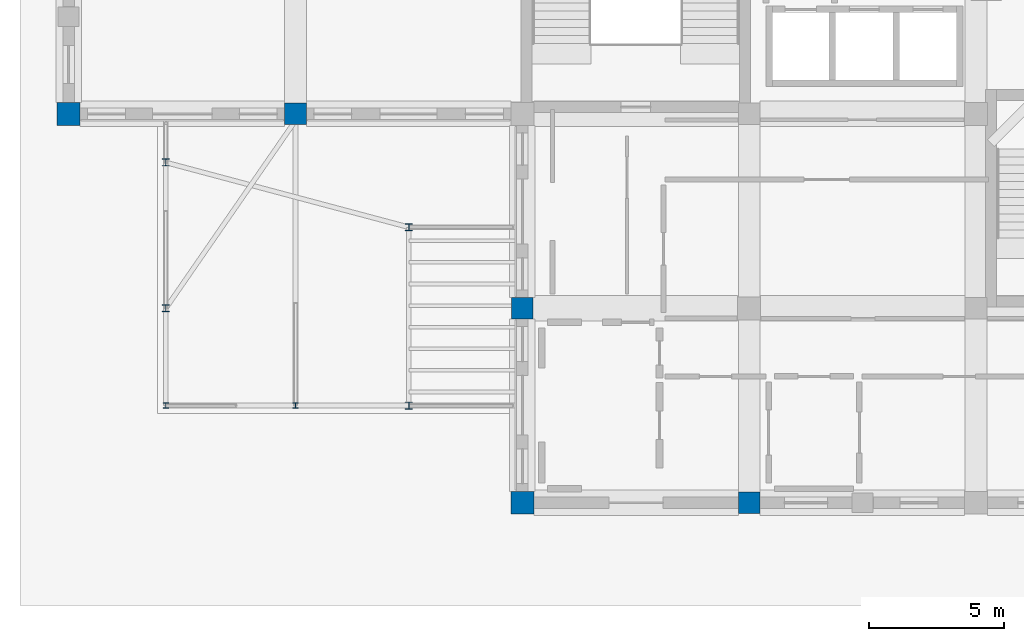
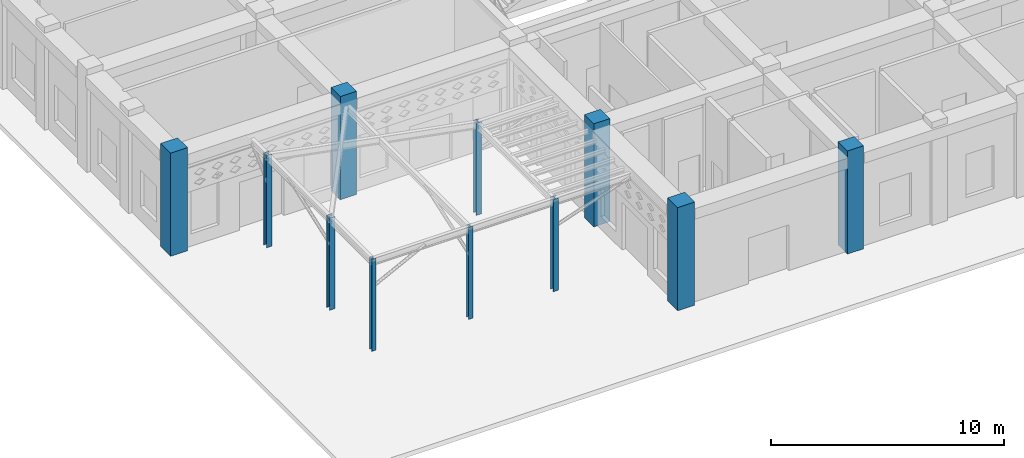
# One storey, part 1 of 84: 11 columns.
"""IFC4 building model written with IfcOpenShell, lengths in metres."""

from ifc_helpers import new_model, si_unit, derived_unit, direction, frame, origin, origin_2d, place, context, subcontext, project, spatial, rectangle, i_section, extrude, material, material_profile, profile_set, type_object, element, save


model = new_model("IFC4")

# Units and contexts
model_context = context("Model", 3, precision=1e-05, world=origin(), true_north=direction((0.0, 1.0)))
body_context = subcontext(model_context, "Body", "Model", "MODEL_VIEW")
ifc_project = project(units=[si_unit("LENGTHUNIT", "METRE"), si_unit("AREAUNIT", "SQUARE_METRE"), si_unit("VOLUMEUNIT", "CUBIC_METRE"), si_unit("PLANEANGLEUNIT", "RADIAN"), si_unit("MASSUNIT", "GRAM", prefix="KILO"), derived_unit("THERMALTRANSMITTANCEUNIT", [(si_unit("POWERUNIT", "WATT"), 1), (si_unit("LENGTHUNIT", "METRE"), -2), (si_unit("THERMODYNAMICTEMPERATUREUNIT", "KELVIN"), -1)])], contexts=[model_context])

# Site, building, storey
site_placement = place(None, origin())
site = spatial("IfcSite", under=ifc_project, at=site_placement, CompositionType="ELEMENT")
building_placement = place(site_placement, origin())
building = spatial("IfcBuilding", under=site, at=building_placement, Name="Veybourne Emporium", CompositionType="ELEMENT")
storey_placement = place(building_placement, origin())
storey = spatial("IfcBuildingStorey", under=building, at=storey_placement, Name="L00", CompositionType="ELEMENT", Elevation=0.0)

# Columns
ifc_material_1 = material(Name="Concrete C40/50", Category="concrete")
ifc_material_profile_1 = material_profile(ifc_material_1, rectangle(XDim=0.800048828125, YDim=0.800048828125, at=origin_2d()), Name="RC 800x800")
ifc_profile_set_1 = profile_set([ifc_material_profile_1], Name="Concrete C40/50")
column_type_1 = type_object("IfcColumnType", Name="Col_C-02", PredefinedType="COLUMN", material=ifc_profile_set_1)
for number, where, z_axis, x_axis, name in (
    (1, (8.39990234375, 14.39990234375, 0.0), (0.0, 0.0, 1.0), (1.0, 0.0, 0.0), "Column C-02 L00 (1,2)"),
    (2, (16.800048828125, 7.199951171875, 0.0), (0.0, 0.0, 1.0), (1.0, 0.0, 0.0), "Column C-02 L00 (2,1)"),
):
    element("IfcColumn", number, at=place(storey_placement, frame(where, z_axis=z_axis, x_axis=x_axis)), inside=storey, type_object=column_type_1, Name=name, PredefinedType="COLUMN", context=body_context, shape_type="SweptSolid", body=[
        extrude(rectangle(XDim=0.800048828125, YDim=0.800048828125, at=origin_2d()), origin(), (0.0, 0.0, 1.0), 5.39990234375),
    ])
ifc_material_profile_2 = material_profile(ifc_material_1, rectangle(XDim=0.85009765625, YDim=0.85009765625, at=origin_2d()), Name="RC 850x850")
ifc_profile_set_2 = profile_set([ifc_material_profile_2], Name="Concrete C40/50")
column_type_2 = type_object("IfcColumnType", Name="Col_CE-01", PredefinedType="COLUMN", material=ifc_profile_set_2)
for number, where, z_axis, x_axis, name in (
    (3, (0.0, 14.39990234375, 0.0), (0.0, 0.0, 1.0), (1.0, 0.0, 0.0), "Column CE-01 L00 (0,2)"),
    (4, (16.800048828125, 0.0, 0.0), (0.0, 0.0, 1.0), (1.0, 0.0, 0.0), "Column CE-01 L00 (2,0)"),
):
    element("IfcColumn", number, at=place(storey_placement, frame(where, z_axis=z_axis, x_axis=x_axis)), inside=storey, type_object=column_type_2, Name=name, PredefinedType="COLUMN", context=body_context, shape_type="SweptSolid", body=[
        extrude(rectangle(XDim=0.85009765625, YDim=0.85009765625, at=origin_2d()), origin(), (0.0, 0.0, 1.0), 5.39990234375),
    ])
ifc_material_profile_3 = material_profile(ifc_material_1, rectangle(XDim=0.800048828125, YDim=0.800048828125, at=origin_2d()), Name="RC 800x800")
ifc_profile_set_3 = profile_set([ifc_material_profile_3], Name="Concrete C40/50")
column_type_3 = type_object("IfcColumnType", Name="Col_CE-02", PredefinedType="COLUMN", material=ifc_profile_set_3)
column_placement = place(storey_placement, frame((25.199951171875, 0.0, 0.0), z_axis=(0.0, 0.0, 1.0), x_axis=(1.0, 0.0, 0.0)))
element("IfcColumn", 5, at=column_placement, inside=storey, type_object=column_type_3, Name="Column CE-02 L00 (3,0)", PredefinedType="COLUMN", context=body_context, shape_type="SweptSolid", body=[
    extrude(rectangle(XDim=0.800048828125, YDim=0.800048828125, at=origin_2d()), origin(), (0.0, 0.0, 1.0), 5.39990234375),
])
ifc_material_2 = material(Name="Steel S355", Category="steel")
ifc_material_profile_4 = material_profile(ifc_material_2, i_section(OverallWidth=0.25634765625, OverallDepth=0.26025390625, WebThickness=0.01025390625, FlangeThickness=0.017333984375, FilletRadius=0.0126953125, at=origin_2d()), Name="UKC 254x254x89")
ifc_profile_set_4 = profile_set([ifc_material_profile_4], Name="Steel S355")
column_type_4 = type_object("IfcColumnType", Name="SteelCol_SC-03", PredefinedType="COLUMN", material=ifc_profile_set_4)
for number, where, z_axis, x_axis, name in (
    (6, (12.60009765625, 3.60009765625, 0.0), (0.0, 0.0, 1.0), (1.0, 0.0, 0.0), "Steel canopy column SC-03-01"),
    (7, (12.60009765625, 10.199951171875, 0.0), (0.0, 0.0, 1.0), (1.0, 0.0, 0.0), "Steel canopy column SC-03-02"),
    (8, (3.60009765625, 12.60009765625, 0.0), (0.0, 0.0, 1.0), (1.0, 0.0, 0.0), "Steel canopy column SC-03-03"),
    (9, (3.60009765625, 7.199951171875, 0.0), (0.0, 0.0, 1.0), (1.0, 0.0, 0.0), "Steel canopy column SC-03-04"),
):
    element("IfcColumn", number, at=place(storey_placement, frame(where, z_axis=z_axis, x_axis=x_axis)), inside=storey, type_object=column_type_4, Name=name, PredefinedType="COLUMN", context=body_context, shape_type="SweptSolid", body=[
        extrude(i_section(OverallWidth=0.25634765625, OverallDepth=0.26025390625, WebThickness=0.01025390625, FlangeThickness=0.017333984375, FilletRadius=0.0126953125, at=origin_2d()), origin(), (0.0, 0.0, 1.0), 4.820068359375),
    ])
ifc_material_profile_5 = material_profile(ifc_material_2, i_section(OverallWidth=0.205810546875, OverallDepth=0.209716796875, WebThickness=0.009521484375, FlangeThickness=0.01416015625, FilletRadius=0.01025390625, at=origin_2d()), Name="UKC 203x203x60")
ifc_profile_set_5 = profile_set([ifc_material_profile_5], Name="Steel S355")
column_type_5 = type_object("IfcColumnType", Name="SteelCol_SC-04", PredefinedType="COLUMN", material=ifc_profile_set_5)
for number, where, z_axis, x_axis, name in (
    (10, (3.60009765625, 3.60009765625, 0.0), (0.0, 0.0, 1.0), (1.0, 0.0, 0.0), "Steel canopy column SC-04-05"),
    (11, (8.39990234375, 3.60009765625, 0.0), (0.0, 0.0, 1.0), (1.0, 0.0, 0.0), "Steel canopy column SC-04-06"),
):
    element("IfcColumn", number, at=place(storey_placement, frame(where, z_axis=z_axis, x_axis=x_axis)), inside=storey, type_object=column_type_5, Name=name, PredefinedType="COLUMN", context=body_context, shape_type="SweptSolid", body=[
        extrude(i_section(OverallWidth=0.205810546875, OverallDepth=0.209716796875, WebThickness=0.009521484375, FlangeThickness=0.01416015625, FilletRadius=0.01025390625, at=origin_2d()), origin(), (0.0, 0.0, 1.0), 4.820068359375),
    ])

save(model, "model.ifc")
